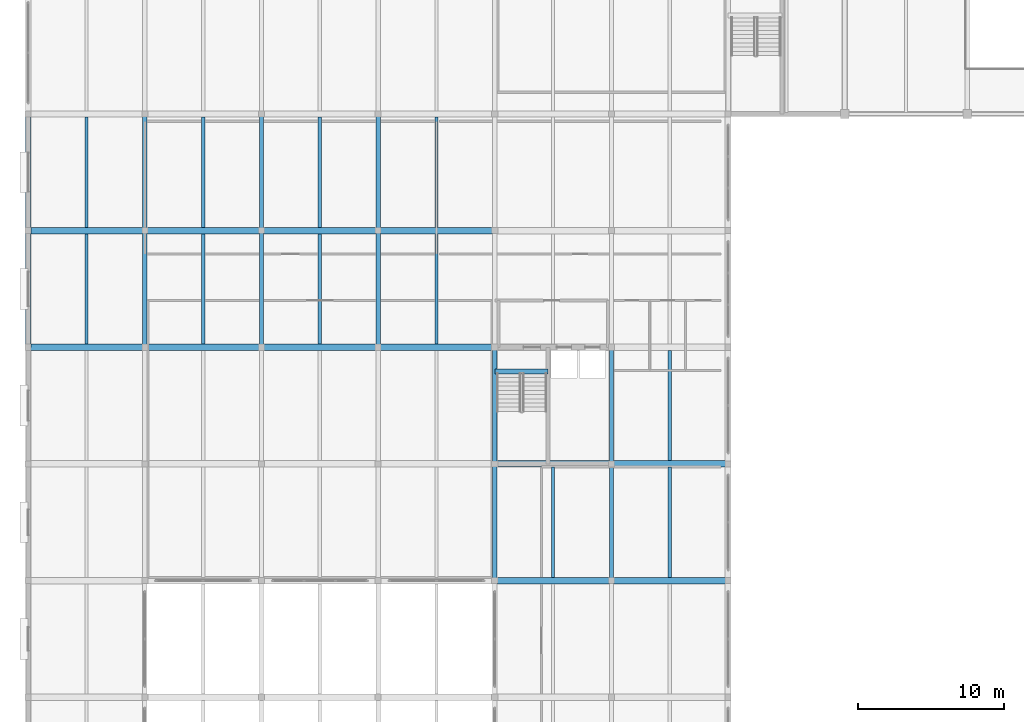
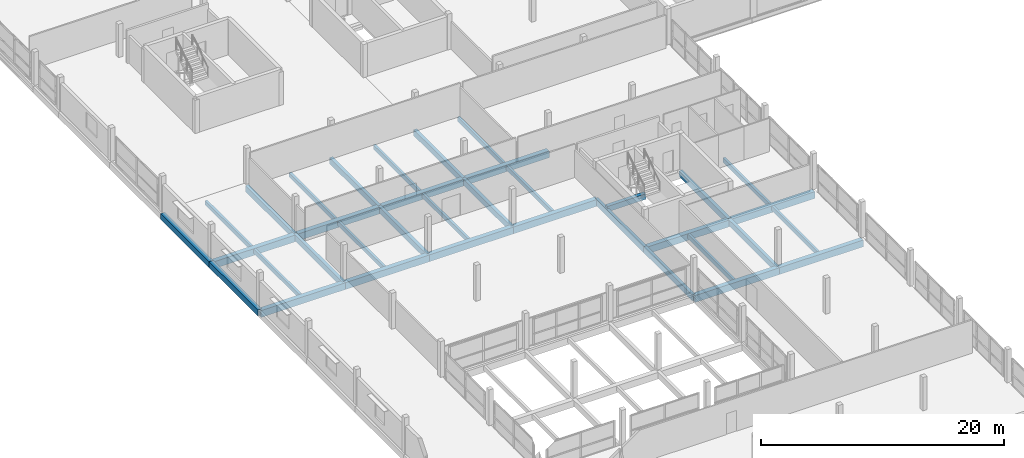
# One storey, part 13 of 51: 36 beams.
"""IFC4 building model written with IfcOpenShell, lengths in metres."""

from ifc_helpers import new_model, si_unit, direction, frame, origin, origin_2d, place, context, subcontext, project, spatial, rectangle, extrude, material, material_profile, profile_set, type_object, element, save


model = new_model("IFC4")

# Units and contexts
model_context = context("Model", 3, precision=1e-05, world=origin(), true_north=direction((0.0, 1.0)))
body_context = subcontext(model_context, "Body", "Model", "MODEL_VIEW")
ifc_project = project(units=[si_unit("LENGTHUNIT", "METRE"), si_unit("AREAUNIT", "SQUARE_METRE"), si_unit("VOLUMEUNIT", "CUBIC_METRE"), si_unit("PLANEANGLEUNIT", "RADIAN"), si_unit("MASSUNIT", "GRAM", prefix="KILO")], contexts=[model_context])

# Site, building, storey
site_placement = place(None, origin())
site = spatial("IfcSite", under=ifc_project, at=site_placement, CompositionType="ELEMENT")
building_placement = place(site_placement, origin())
building = spatial("IfcBuilding", under=site, at=building_placement, Name="Vharandega Faculty of Natural Sciences", CompositionType="ELEMENT")
storey_placement = place(building_placement, frame((0.0, 0.0, 14.39990234375)))
storey = spatial("IfcBuildingStorey", under=building, at=storey_placement, Name="L03", CompositionType="ELEMENT", Elevation=14.39990234375)

# Beams
ifc_material_1 = material(Name="Glulam GL28h", Category="wood")
ifc_material_profile_1 = material_profile(ifc_material_1, rectangle(XDim=0.300048828125, YDim=0.60009765625, at=origin_2d()), Name="GL28h 300x600")
ifc_profile_set_1 = profile_set([ifc_material_profile_1], Name="Glulam GL28h")
beam_type_1 = type_object("IfcBeamType", Name="Glulam Floor Beam 300x600", PredefinedType="BEAM", material=ifc_profile_set_1)
for number, where, z_axis, x_axis, name in (
    (1, (8.0, 48.0, -0.539794921875), (0.0, 1.0, 0.0), (-1.0, 0.0, 0.0), "Beam L03 2/G-H"),
    (2, (8.0, 56.0, -0.539794921875), (0.0, 1.0, 0.0), (-1.0, 0.0, 0.0), "Beam L03 2/H-J"),
    (3, (16.0, 48.0, -0.539794921875), (0.0, 1.0, 0.0), (-1.0, 0.0, 0.0), "Beam L03 3/G-H"),
    (4, (16.0, 56.0, -0.539794921875), (0.0, 1.0, 0.0), (-1.0, 0.0, 0.0), "Beam L03 3/H-J"),
    (5, (24.0, 48.0, -0.539794921875), (0.0, 1.0, 0.0), (-1.0, 0.0, 0.0), "Beam L03 4/G-H"),
    (6, (24.0, 56.0, -0.539794921875), (0.0, 1.0, 0.0), (-1.0, 0.0, 0.0), "Beam L03 4/H-J"),
    (7, (32.0, 32.0, -0.539794921875), (0.0, 1.0, 0.0), (-1.0, 0.0, 0.0), "Beam L03 5/E-F"),
    (8, (32.0, 40.0, -0.539794921875), (0.0, 1.0, 0.0), (-1.0, 0.0, 0.0), "Beam L03 5/F-G"),
    (9, (40.0, 32.0, -0.539794921875), (0.0, 1.0, 0.0), (-1.0, 0.0, 0.0), "Beam L03 6/E-F"),
    (10, (40.0, 40.0, -0.539794921875), (0.0, 1.0, 0.0), (-1.0, 0.0, 0.0), "Beam L03 6/F-G"),
):
    element("IfcBeam", number, at=place(storey_placement, frame(where, z_axis=z_axis, x_axis=x_axis)), inside=storey, type_object=beam_type_1, Name=name, PredefinedType="BEAM", context=body_context, shape_type="SweptSolid", body=[
        extrude(rectangle(XDim=0.300048828125, YDim=0.60009765625, at=origin_2d()), origin(), (0.0, 0.0, 1.0), 8.0),
    ])
ifc_material_2 = material(Name="Glulam GL32h", Category="wood")
ifc_material_profile_2 = material_profile(ifc_material_2, rectangle(XDim=0.43994140625, YDim=0.679931640625, at=origin_2d()), Name="GL32h 440x680")
ifc_profile_set_2 = profile_set([ifc_material_profile_2], Name="Glulam GL32h")
beam_type_2 = type_object("IfcBeamType", Name="Glulam Girder 440x680", PredefinedType="BEAM", material=ifc_profile_set_2)
for number, where, z_axis, x_axis, name in (
    (11, (32.0, 32.0, -0.579833984375), (1.0, 0.0, 0.0), (0.0, 1.0, 0.0), "Beam L03 E/5-6"),
    (12, (40.0, 32.0, -0.579833984375), (1.0, 0.0, 0.0), (0.0, 1.0, 0.0), "Beam L03 E/6-7"),
    (13, (32.0, 40.0, -0.579833984375), (1.0, 0.0, 0.0), (0.0, 1.0, 0.0), "Beam L03 F/5-6"),
    (14, (40.0, 40.0, -0.579833984375), (1.0, 0.0, 0.0), (0.0, 1.0, 0.0), "Beam L03 F/6-7"),
    (15, (0.0, 48.0, -0.579833984375), (1.0, 0.0, 0.0), (0.0, 1.0, 0.0), "Beam L03 G/1-2"),
    (16, (8.0, 48.0, -0.579833984375), (1.0, 0.0, 0.0), (0.0, 1.0, 0.0), "Beam L03 G/2-3"),
    (17, (16.0, 48.0, -0.579833984375), (1.0, 0.0, 0.0), (0.0, 1.0, 0.0), "Beam L03 G/3-4"),
    (18, (24.0, 48.0, -0.579833984375), (1.0, 0.0, 0.0), (0.0, 1.0, 0.0), "Beam L03 G/4-5"),
    (19, (0.0, 56.0, -0.579833984375), (1.0, 0.0, 0.0), (0.0, 1.0, 0.0), "Beam L03 H/1-2"),
    (20, (8.0, 56.0, -0.579833984375), (1.0, 0.0, 0.0), (0.0, 1.0, 0.0), "Beam L03 H/2-3"),
    (21, (16.0, 56.0, -0.579833984375), (1.0, 0.0, 0.0), (0.0, 1.0, 0.0), "Beam L03 H/3-4"),
    (22, (24.0, 56.0, -0.579833984375), (1.0, 0.0, 0.0), (0.0, 1.0, 0.0), "Beam L03 H/4-5"),
):
    element("IfcBeam", number, at=place(storey_placement, frame(where, z_axis=z_axis, x_axis=x_axis)), inside=storey, type_object=beam_type_2, Name=name, PredefinedType="BEAM", context=body_context, shape_type="SweptSolid", body=[
        extrude(rectangle(XDim=0.43994140625, YDim=0.679931640625, at=origin_2d()), origin(), (0.0, 0.0, 1.0), 8.0),
    ])
ifc_material_3 = material(Name="Glulam GL28h", Category="wood")
ifc_material_profile_3 = material_profile(ifc_material_3, rectangle(XDim=0.219970703125, YDim=0.43994140625, at=origin_2d()), Name="GL28h 220x440")
ifc_profile_set_3 = profile_set([ifc_material_profile_3], Name="Glulam GL28h")
beam_type_3 = type_object("IfcBeamType", Name="Glulam Secondary Joist 220x440", PredefinedType="JOIST", material=ifc_profile_set_3)
for number, where, z_axis, x_axis, name in (
    (23, (4.0, 48.219970703125, -0.4599609375), (0.0, 1.0, 0.0), (-1.0, 0.0, 0.0), "Secondary Joist L03 1-2/G-H"),
    (24, (4.0, 56.219970703125, -0.4599609375), (0.0, 1.0, 0.0), (-1.0, 0.0, 0.0), "Secondary Joist L03 1-2/H-J"),
    (25, (12.0, 48.219970703125, -0.4599609375), (0.0, 1.0, 0.0), (-1.0, 0.0, 0.0), "Secondary Joist L03 2-3/G-H"),
    (26, (12.0, 56.219970703125, -0.4599609375), (0.0, 1.0, 0.0), (-1.0, 0.0, 0.0), "Secondary Joist L03 2-3/H-J"),
    (27, (20.0, 48.219970703125, -0.4599609375), (0.0, 1.0, 0.0), (-1.0, 0.0, 0.0), "Secondary Joist L03 3-4/G-H"),
    (28, (20.0, 56.219970703125, -0.4599609375), (0.0, 1.0, 0.0), (-1.0, 0.0, 0.0), "Secondary Joist L03 3-4/H-J"),
    (29, (28.0, 48.219970703125, -0.4599609375), (0.0, 1.0, 0.0), (-1.0, 0.0, 0.0), "Secondary Joist L03 4-5/G-H"),
    (30, (28.0, 56.219970703125, -0.4599609375), (0.0, 1.0, 0.0), (-1.0, 0.0, 0.0), "Secondary Joist L03 4-5/H-J"),
    (31, (36.0, 32.219970703125, -0.4599609375), (0.0, 1.0, 0.0), (-1.0, 0.0, 0.0), "Secondary Joist L03 5-6/E-F"),
    (32, (44.0, 32.219970703125, -0.4599609375), (0.0, 1.0, 0.0), (-1.0, 0.0, 0.0), "Secondary Joist L03 6-7/E-F"),
    (33, (44.0, 40.219970703125, -0.4599609375), (0.0, 1.0, 0.0), (-1.0, 0.0, 0.0), "Secondary Joist L03 6-7/F-G"),
):
    element("IfcBeam", number, at=place(storey_placement, frame(where, z_axis=z_axis, x_axis=x_axis)), inside=storey, type_object=beam_type_3, Name=name, PredefinedType="JOIST", context=body_context, shape_type="SweptSolid", body=[
        extrude(rectangle(XDim=0.219970703125, YDim=0.43994140625, at=origin_2d()), origin(), (0.0, 0.0, 1.0), 7.56005859375),
    ])
ifc_material_4 = material(Name="Glulam GL32h", Category="wood")
ifc_material_profile_4 = material_profile(ifc_material_4, rectangle(XDim=0.39990234375, YDim=0.60009765625, at=origin_2d()), Name="GL32h 400x600")
ifc_profile_set_4 = profile_set([ifc_material_profile_4], Name="Glulam GL32h")
beam_type_4 = type_object("IfcBeamType", Name="Glulam Spine Girder 400x600", PredefinedType="BEAM", material=ifc_profile_set_4)
for number, where, z_axis, x_axis, name in (
    (34, (0.0, 48.0, -0.539794921875), (0.0, 1.0, 0.0), (-1.0, 0.0, 0.0), "Beam L03 1/G-H"),
    (35, (0.0, 56.0, -0.539794921875), (0.0, 1.0, 0.0), (-1.0, 0.0, 0.0), "Beam L03 1/H-J"),
):
    element("IfcBeam", number, at=place(storey_placement, frame(where, z_axis=z_axis, x_axis=x_axis)), inside=storey, type_object=beam_type_4, Name=name, PredefinedType="BEAM", context=body_context, shape_type="SweptSolid", body=[
        extrude(rectangle(XDim=0.39990234375, YDim=0.60009765625, at=origin_2d()), origin(), (0.0, 0.0, 1.0), 8.0),
    ])
ifc_material_5 = material(Name="Concrete C40/50", Category="concrete")
ifc_material_profile_5 = material_profile(ifc_material_5, rectangle(XDim=0.35009765625, YDim=0.550048828125, at=origin_2d()), Name="RC 350x550")
ifc_profile_set_5 = profile_set([ifc_material_profile_5], Name="Concrete C40/50")
beam_type_5 = type_object("IfcBeamType", Name="Stair Header Trimmer Beam 350x550", PredefinedType="BEAM", material=ifc_profile_set_5)
beam_placement = place(storey_placement, frame((32.0, 46.35009765625, -0.27490234375), z_axis=(1.0, 0.0, 0.0), x_axis=(0.0, 1.0, 0.0)))
element("IfcBeam", 36, at=beam_placement, inside=storey, type_object=beam_type_5, Name="Stair Landing Trimmer Beam C3 L03", PredefinedType="BEAM", context=body_context, shape_type="SweptSolid", body=[
    extrude(rectangle(XDim=0.35009765625, YDim=0.550048828125, at=origin_2d()), origin(), (0.0, 0.0, 1.0), 3.639892578125),
])

save(model, "model.ifc")
